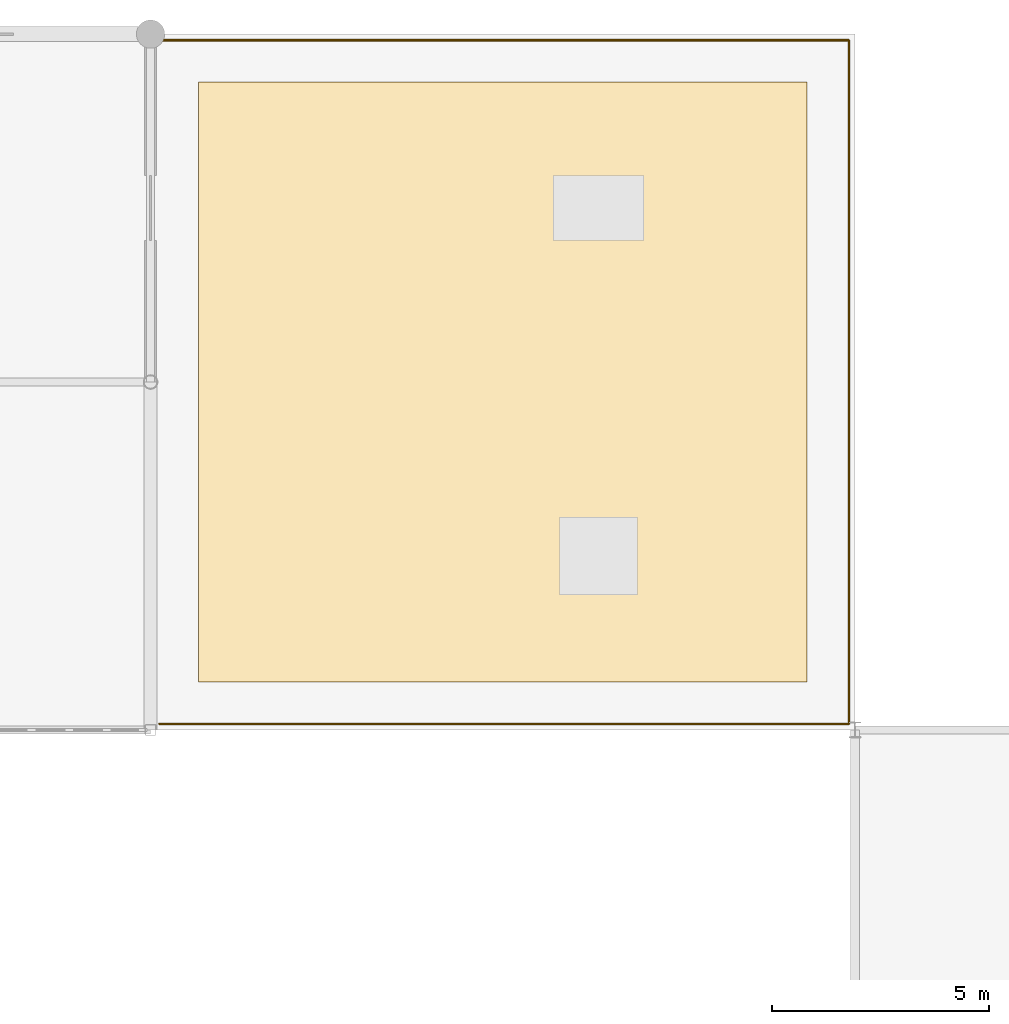
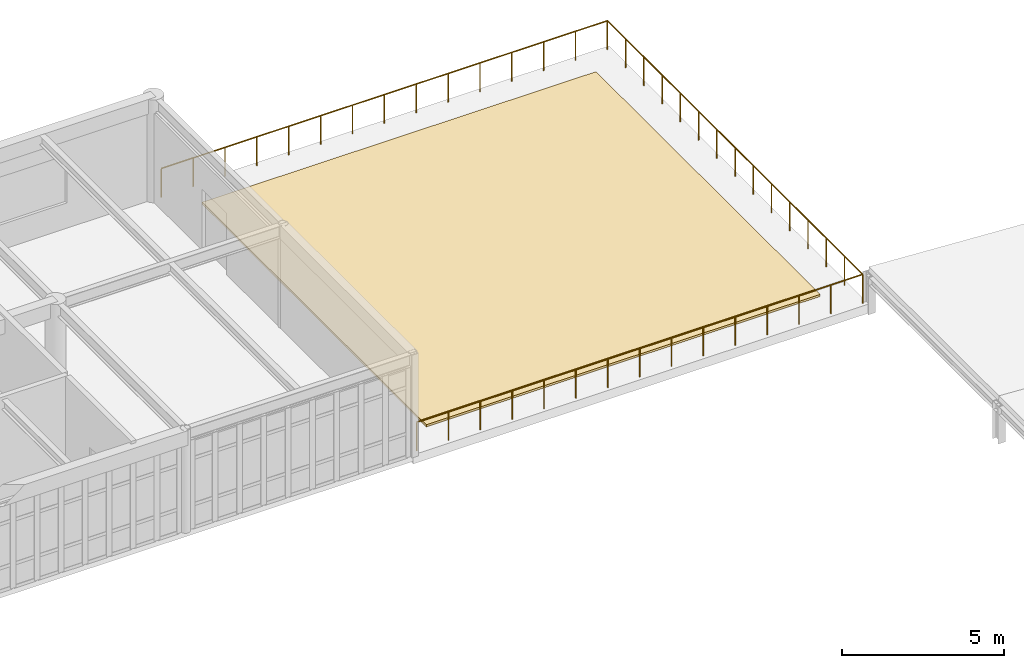
# One storey, part 36 of 36: 3 railings, 1 covering.
"""IFC4 building model written with IfcOpenShell, lengths in metres."""

from ifc_helpers import new_model, si_unit, direction, frame, origin, origin_2d, place, context, subcontext, project, spatial, polyline, circle, outline, extrude, material, layer, layer_set, type_object, element, save


model = new_model("IFC4")

# Units and contexts
model_context = context("Model", 3, precision=1e-05, world=origin(), true_north=direction((0.0, 1.0)))
body_context = subcontext(model_context, "Body", "Model", "MODEL_VIEW")
ifc_project = project(units=[si_unit("LENGTHUNIT", "METRE"), si_unit("AREAUNIT", "SQUARE_METRE"), si_unit("VOLUMEUNIT", "CUBIC_METRE"), si_unit("PLANEANGLEUNIT", "RADIAN"), si_unit("MASSUNIT", "GRAM", prefix="KILO")], contexts=[model_context])

# Site, building, storey
site_placement = place(None, origin())
site = spatial("IfcSite", under=ifc_project, at=site_placement, CompositionType="ELEMENT")
building_placement = place(site_placement, origin())
building = spatial("IfcBuilding", under=site, at=building_placement, Name="Tarnveldt Square Police Headquarters", CompositionType="ELEMENT")
storey_placement = place(building_placement, frame((0.0, 0.0, 24.89990234375)))
storey = spatial("IfcBuildingStorey", under=building, at=storey_placement, Name="L05", CompositionType="ELEMENT", Elevation=24.89990234375)

# Covering
ifc_material_1 = material(Name="Vegetated sedum and EPDM waterproofing roofing assembly", Category="concrete")
ifc_layer = layer(ifc_material_1, 0.080078125)
ifc_layer_set = layer_set([ifc_layer], Name="Vegetated sedum and EPDM waterproofing roofing assembly")
covering_type = type_object("IfcCoveringType", Name="COV-RFG-80", PredefinedType="ROOFING", material=ifc_layer_set)
covering_placement = place(storey_placement, origin())
element("IfcCovering", 1, at=covering_placement, inside=storey, type_object=covering_type, Name="East Forensic Setback Roof Terrace Planted Roofing Assembly 3", PredefinedType="ROOFING", context=body_context, shape_type="SweptSolid", body=[
    extrude(outline(polyline([(104.199951171875, 97.10009765625), (104.199951171875, 110.89990234375), (90.199951171875, 110.89990234375), (90.199951171875, 97.10009765625), (104.199951171875, 97.10009765625)])), origin(), (0.0, 0.0, 1.0), 0.080078125),
])

# Railings
ifc_material_2 = material(Name="Steel 350W", Category="steel")
railing_type = type_object("IfcRailingType", Name="RL-TER-1100", PredefinedType="GUARDRAIL", material=ifc_material_2)
railing_1_placement = place(storey_placement, frame((89.300048828125, 96.139892578125, 0.0)))
element("IfcRailing", 2, at=railing_1_placement, inside=storey, type_object=railing_type, Name="East Forensic Setback Roof Terrace Perimeter Guardrail S1", PredefinedType="GUARDRAIL", context=body_context, shape_type="SweptSolid", body=[
    extrude(circle(Radius=0.02392578125, at=origin_2d()), frame((0.0, 0.0, 1.076171875), z_axis=(1.0, 0.0, 0.0), x_axis=(0.0, 1.0, 0.0)), (0.0, 0.0, 1.0), 15.85986328125),
    extrude(circle(Radius=0.02099609375, at=origin_2d()), origin(), (0.0, 0.0, 1.0), 1.052001953125),
    extrude(circle(Radius=0.02099609375, at=origin_2d()), frame((1.1328125, 0.0, 0.0)), (0.0, 0.0, 1.0), 1.052001953125),
    extrude(circle(Radius=0.02099609375, at=origin_2d()), frame((2.265625, 0.0, 0.0)), (0.0, 0.0, 1.0), 1.052001953125),
    extrude(circle(Radius=0.02099609375, at=origin_2d()), frame((3.3984375, 0.0, 0.0)), (0.0, 0.0, 1.0), 1.052001953125),
    extrude(circle(Radius=0.02099609375, at=origin_2d()), frame((4.531494140625, 0.0, 0.0)), (0.0, 0.0, 1.0), 1.052001953125),
    extrude(circle(Radius=0.02099609375, at=origin_2d()), frame((5.664306640625, 0.0, 0.0)), (0.0, 0.0, 1.0), 1.052001953125),
    extrude(circle(Radius=0.02099609375, at=origin_2d()), frame((6.797119140625, 0.0, 0.0)), (0.0, 0.0, 1.0), 1.052001953125),
    extrude(circle(Radius=0.02099609375, at=origin_2d()), frame((7.929931640625, 0.0, 0.0)), (0.0, 0.0, 1.0), 1.052001953125),
    extrude(circle(Radius=0.02099609375, at=origin_2d()), frame((9.062744140625, 0.0, 0.0)), (0.0, 0.0, 1.0), 1.052001953125),
    extrude(circle(Radius=0.02099609375, at=origin_2d()), frame((10.195556640625, 0.0, 0.0)), (0.0, 0.0, 1.0), 1.052001953125),
    extrude(circle(Radius=0.02099609375, at=origin_2d()), frame((11.328369140625, 0.0, 0.0)), (0.0, 0.0, 1.0), 1.052001953125),
    extrude(circle(Radius=0.02099609375, at=origin_2d()), frame((12.46142578125, 0.0, 0.0)), (0.0, 0.0, 1.0), 1.052001953125),
    extrude(circle(Radius=0.02099609375, at=origin_2d()), frame((13.59423828125, 0.0, 0.0)), (0.0, 0.0, 1.0), 1.052001953125),
    extrude(circle(Radius=0.02099609375, at=origin_2d()), frame((14.72705078125, 0.0, 0.0)), (0.0, 0.0, 1.0), 1.052001953125),
    extrude(circle(Radius=0.02099609375, at=origin_2d()), frame((15.85986328125, 0.0, 0.0)), (0.0, 0.0, 1.0), 1.052001953125),
])
railing_2_placement = place(storey_placement, frame((105.159912109375, 96.139892578125, 0.0)))
element("IfcRailing", 3, at=railing_2_placement, inside=storey, type_object=railing_type, Name="East Forensic Setback Roof Terrace Perimeter Guardrail E1", PredefinedType="GUARDRAIL", context=body_context, shape_type="SweptSolid", body=[
    extrude(circle(Radius=0.02392578125, at=origin_2d()), frame((0.0, 0.0, 1.076171875), z_axis=(0.0, 1.0, 0.0), x_axis=(-1.0, 0.0, 0.0)), (0.0, 0.0, 1.0), 15.72021484375),
    extrude(circle(Radius=0.02099609375, at=origin_2d()), origin(), (0.0, 0.0, 1.0), 1.052001953125),
    extrude(circle(Radius=0.02099609375, at=origin_2d()), frame((0.0, 1.122802734375, 0.0)), (0.0, 0.0, 1.0), 1.052001953125),
    extrude(circle(Radius=0.02099609375, at=origin_2d()), frame((0.0, 2.245849609375, 0.0)), (0.0, 0.0, 1.0), 1.052001953125),
    extrude(circle(Radius=0.02099609375, at=origin_2d()), frame((0.0, 3.36865234375, 0.0)), (0.0, 0.0, 1.0), 1.052001953125),
    extrude(circle(Radius=0.02099609375, at=origin_2d()), frame((0.0, 4.491455078125, 0.0)), (0.0, 0.0, 1.0), 1.052001953125),
    extrude(circle(Radius=0.02099609375, at=origin_2d()), frame((0.0, 5.6142578125, 0.0)), (0.0, 0.0, 1.0), 1.052001953125),
    extrude(circle(Radius=0.02099609375, at=origin_2d()), frame((0.0, 6.7373046875, 0.0)), (0.0, 0.0, 1.0), 1.052001953125),
    extrude(circle(Radius=0.02099609375, at=origin_2d()), frame((0.0, 7.860107421875, 0.0)), (0.0, 0.0, 1.0), 1.052001953125),
    extrude(circle(Radius=0.02099609375, at=origin_2d()), frame((0.0, 8.98291015625, 0.0)), (0.0, 0.0, 1.0), 1.052001953125),
    extrude(circle(Radius=0.02099609375, at=origin_2d()), frame((0.0, 10.10595703125, 0.0)), (0.0, 0.0, 1.0), 1.052001953125),
    extrude(circle(Radius=0.02099609375, at=origin_2d()), frame((0.0, 11.228759765625, 0.0)), (0.0, 0.0, 1.0), 1.052001953125),
    extrude(circle(Radius=0.02099609375, at=origin_2d()), frame((0.0, 12.3515625, 0.0)), (0.0, 0.0, 1.0), 1.052001953125),
    extrude(circle(Radius=0.02099609375, at=origin_2d()), frame((0.0, 13.474365234375, 0.0)), (0.0, 0.0, 1.0), 1.052001953125),
    extrude(circle(Radius=0.02099609375, at=origin_2d()), frame((0.0, 14.597412109375, 0.0)), (0.0, 0.0, 1.0), 1.052001953125),
    extrude(circle(Radius=0.02099609375, at=origin_2d()), frame((0.0, 15.72021484375, 0.0)), (0.0, 0.0, 1.0), 1.052001953125),
])
railing_3_placement = place(storey_placement, frame((105.159912109375, 111.860107421875, 0.0)))
element("IfcRailing", 4, at=railing_3_placement, inside=storey, type_object=railing_type, Name="East Forensic Setback Roof Terrace Perimeter Guardrail N1", PredefinedType="GUARDRAIL", context=body_context, shape_type="SweptSolid", body=[
    extrude(circle(Radius=0.02392578125, at=origin_2d()), frame((0.0, 0.0, 1.076171875), z_axis=(-1.0, 0.0, 0.0), x_axis=(0.0, -1.0, 0.0)), (0.0, 0.0, 1.0), 15.85986328125),
    extrude(circle(Radius=0.02099609375, at=origin_2d()), origin(), (0.0, 0.0, 1.0), 1.052001953125),
    extrude(circle(Radius=0.02099609375, at=origin_2d()), frame((-1.1328125, 0.0, 0.0)), (0.0, 0.0, 1.0), 1.052001953125),
    extrude(circle(Radius=0.02099609375, at=origin_2d()), frame((-2.265625, 0.0, 0.0)), (0.0, 0.0, 1.0), 1.052001953125),
    extrude(circle(Radius=0.02099609375, at=origin_2d()), frame((-3.3984375, 0.0, 0.0)), (0.0, 0.0, 1.0), 1.052001953125),
    extrude(circle(Radius=0.02099609375, at=origin_2d()), frame((-4.531494140625, 0.0, 0.0)), (0.0, 0.0, 1.0), 1.052001953125),
    extrude(circle(Radius=0.02099609375, at=origin_2d()), frame((-5.664306640625, 0.0, 0.0)), (0.0, 0.0, 1.0), 1.052001953125),
    extrude(circle(Radius=0.02099609375, at=origin_2d()), frame((-6.797119140625, 0.0, 0.0)), (0.0, 0.0, 1.0), 1.052001953125),
    extrude(circle(Radius=0.02099609375, at=origin_2d()), frame((-7.929931640625, 0.0, 0.0)), (0.0, 0.0, 1.0), 1.052001953125),
    extrude(circle(Radius=0.02099609375, at=origin_2d()), frame((-9.062744140625, 0.0, 0.0)), (0.0, 0.0, 1.0), 1.052001953125),
    extrude(circle(Radius=0.02099609375, at=origin_2d()), frame((-10.195556640625, 0.0, 0.0)), (0.0, 0.0, 1.0), 1.052001953125),
    extrude(circle(Radius=0.02099609375, at=origin_2d()), frame((-11.328369140625, 0.0, 0.0)), (0.0, 0.0, 1.0), 1.052001953125),
    extrude(circle(Radius=0.02099609375, at=origin_2d()), frame((-12.46142578125, 0.0, 0.0)), (0.0, 0.0, 1.0), 1.052001953125),
    extrude(circle(Radius=0.02099609375, at=origin_2d()), frame((-13.59423828125, 0.0, 0.0)), (0.0, 0.0, 1.0), 1.052001953125),
    extrude(circle(Radius=0.02099609375, at=origin_2d()), frame((-14.72705078125, 0.0, 0.0)), (0.0, 0.0, 1.0), 1.052001953125),
    extrude(circle(Radius=0.02099609375, at=origin_2d()), frame((-15.85986328125, 0.0, 0.0)), (0.0, 0.0, 1.0), 1.052001953125),
])

save(model, "model.ifc")
